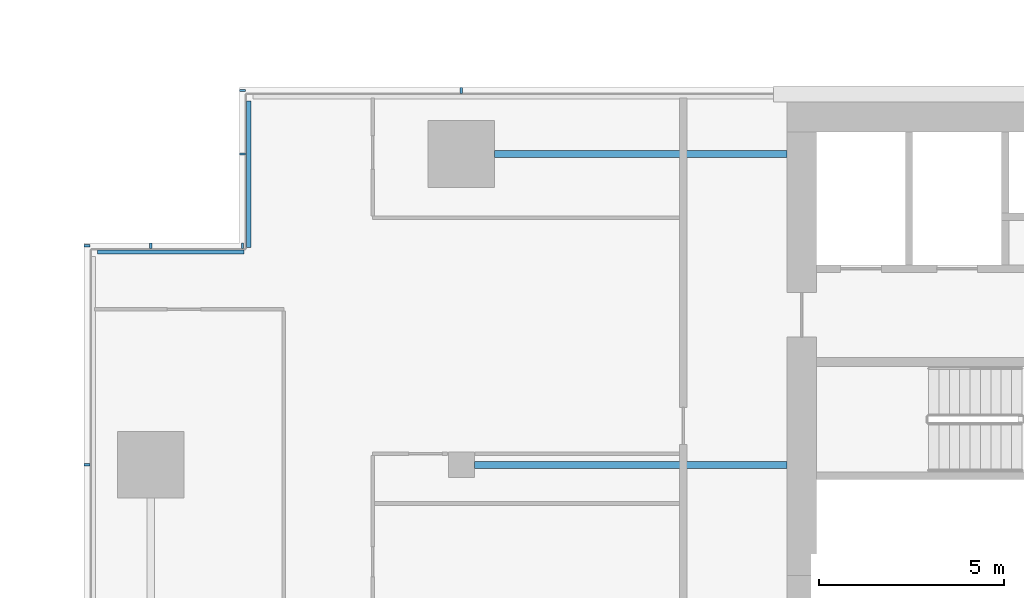
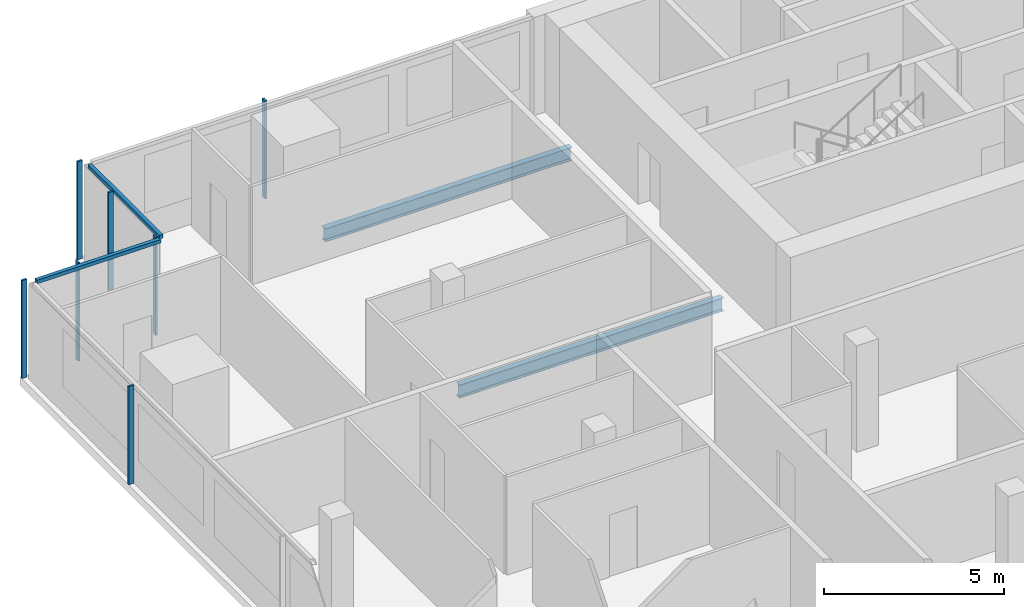
# One storey, part 8 of 30: 9 members, 2 beams, 4 elements without a shape of their own.
"""IFC4 building model written with IfcOpenShell, lengths in metres."""

from ifc_helpers import new_model, si_unit, direction, frame, origin, origin_2d, place, context, subcontext, project, spatial, rectangle, i_section, extrude, material, material_profile, profile_set, type_object, element, aggregate, save


model = new_model("IFC4")

# Units and contexts
model_context = context("Model", 3, precision=1e-05, world=origin(), true_north=direction((0.0, 1.0)))
body_context = subcontext(model_context, "Body", "Model", "MODEL_VIEW")
ifc_project = project(units=[si_unit("LENGTHUNIT", "METRE"), si_unit("AREAUNIT", "SQUARE_METRE"), si_unit("VOLUMEUNIT", "CUBIC_METRE"), si_unit("PLANEANGLEUNIT", "RADIAN"), si_unit("MASSUNIT", "GRAM", prefix="KILO")], contexts=[model_context])

# Site, building, storey
site_placement = place(None, origin())
site = spatial("IfcSite", under=ifc_project, at=site_placement, CompositionType="ELEMENT")
building_placement = place(site_placement, origin())
building = spatial("IfcBuilding", under=site, at=building_placement, Name="Saffron Gate Tower", CompositionType="ELEMENT")
storey_placement = place(building_placement, frame((0.0, 0.0, 169.050048828125)))
storey = spatial("IfcBuildingStorey", under=building, at=storey_placement, Name="L41", CompositionType="ELEMENT", Elevation=169.050048828125)

# Beams
ifc_material_1 = material(Name="Structural steel S355", Category="steel")
ifc_material_profile_1 = material_profile(ifc_material_1, i_section(OverallWidth=0.18994140625, OverallDepth=0.449951171875, WebThickness=0.009521484375, FlangeThickness=0.0146484375, FilletRadius=0.02099609375, at=origin_2d()))
ifc_profile_set_1 = profile_set([ifc_material_profile_1], Name="Structural steel S355")
beam_type = type_object("IfcBeamType", Name="B6 IPE 450", PredefinedType="BEAM", material=ifc_profile_set_1)
beam_1_placement = place(storey_placement, frame((58.550048828125, 65.39990234375, -0.505126953125), z_axis=(1.0, 0.0, 0.0), x_axis=(0.0, 1.0, 0.0)))
element("IfcBeam", 1, at=beam_1_placement, inside=storey, type_object=beam_type, Name="B6 CORE TIE BEAM", PredefinedType="BEAM", context=body_context, shape_type="SweptSolid", body=[
    extrude(i_section(OverallWidth=0.18994140625, OverallDepth=0.449951171875, WebThickness=0.009521484375, FlangeThickness=0.0146484375, FilletRadius=0.02099609375, at=origin_2d()), origin(), (0.0, 0.0, 1.0), 8.449951171875),
])
beam_2_placement = place(storey_placement, frame((59.10009765625, 73.800048828125, -0.505126953125), z_axis=(1.0, 0.0, 0.0), x_axis=(0.0, 1.0, 0.0)))
element("IfcBeam", 2, at=beam_2_placement, inside=storey, type_object=beam_type, Name="B6 CORE TIE BEAM", PredefinedType="BEAM", context=body_context, shape_type="SweptSolid", body=[
    extrude(i_section(OverallWidth=0.18994140625, OverallDepth=0.449951171875, WebThickness=0.009521484375, FlangeThickness=0.0146484375, FilletRadius=0.02099609375, at=origin_2d()), origin(), (0.0, 0.0, 1.0), 7.89990234375),
])

# Curtain wall, members
ifc_material_2 = material(Name="Aluminium, bronze anodised", Category="aluminium")
curtain_wall_type_1 = type_object("IfcCurtainWallType", Name="CWS2 curtain wall side facades", PredefinedType="NOTDEFINED", material=ifc_material_2)
curtain_wall_1_placement = place(storey_placement, origin())
curtain_wall_1 = element("IfcCurtainWall", 3, at=curtain_wall_1_placement, inside=storey, type_object=curtain_wall_type_1, Name="CWS2 run 10", PredefinedType="NOTDEFINED")
ifc_material_profile_2 = material_profile(ifc_material_2, rectangle(XDim=0.159912109375, YDim=0.06005859375, at=origin_2d()))
ifc_profile_set_2 = profile_set([ifc_material_profile_2], Name="Aluminium, bronze anodised")
member_type_1 = type_object("IfcMemberType", Name="CWS2 mullion 60x160", PredefinedType="MULLION", material=ifc_profile_set_2)
member_1_placement = place(storey_placement, frame((48.080078125, 71.320068359375, 0.0), z_axis=(0.0, 0.0, 1.0), x_axis=(1.0, 0.0, 0.0)))
member_1 = element("IfcMember", 4, at=member_1_placement, type_object=member_type_1, Name="CWS2 mullion 1", PredefinedType="MULLION", context=body_context, shape_type="SweptSolid", body=[
    extrude(rectangle(XDim=0.159912109375, YDim=0.06005859375, at=origin_2d()), origin(), (0.0, 0.0, 1.0), 3.320068359375),
])
member_2_placement = place(storey_placement, frame((48.080078125, 65.39990234375, 0.0), z_axis=(0.0, 0.0, 1.0), x_axis=(1.0, 0.0, 0.0)))
member_2 = element("IfcMember", 5, at=member_2_placement, type_object=member_type_1, Name="CWS2 mullion 2", PredefinedType="MULLION", context=body_context, shape_type="SweptSolid", body=[
    extrude(rectangle(XDim=0.159912109375, YDim=0.06005859375, at=origin_2d()), origin(), (0.0, 0.0, 1.0), 3.320068359375),
])
aggregate(curtain_wall_1, [member_1, member_2])

# Curtain wall, member
curtain_wall_type_2 = type_object("IfcCurtainWallType", Name="CWS3 curtain wall rear facade", PredefinedType="NOTDEFINED", material=ifc_material_2)
curtain_wall_2_placement = place(storey_placement, origin())
curtain_wall_2 = element("IfcCurtainWall", 6, at=curtain_wall_2_placement, inside=storey, type_object=curtain_wall_type_2, Name="CWS3 run 7", PredefinedType="NOTDEFINED")
ifc_material_profile_3 = material_profile(ifc_material_2, rectangle(XDim=0.159912109375, YDim=0.070068359375, at=origin_2d()))
ifc_profile_set_3 = profile_set([ifc_material_profile_3], Name="Aluminium, bronze anodised")
member_type_2 = type_object("IfcMemberType", Name="CWS3 mullion 70x160", PredefinedType="MULLION", material=ifc_profile_set_3)
member_3_placement = place(storey_placement, frame((58.199951171875, 75.52001953125, 0.0), z_axis=(0.0, 0.0, 1.0), x_axis=(0.0, -1.0, 0.0)))
member_3 = element("IfcMember", 7, at=member_3_placement, type_object=member_type_2, Name="CWS3 mullion 9", PredefinedType="MULLION", context=body_context, shape_type="SweptSolid", body=[
    extrude(rectangle(XDim=0.159912109375, YDim=0.070068359375, at=origin_2d()), origin(), (0.0, 0.0, 1.0), 3.320068359375),
])
aggregate(curtain_wall_2, [member_3])

curtain_wall_type_3 = type_object("IfcCurtainWallType", Name="CWS4 curtain wall corner returns", PredefinedType="NOTDEFINED", material=ifc_material_2)
curtain_wall_3_placement = place(storey_placement, origin())
curtain_wall_3 = element("IfcCurtainWall", 8, at=curtain_wall_3_placement, inside=storey, type_object=curtain_wall_type_3, Name="CWS4 run 8", PredefinedType="NOTDEFINED")
ifc_material_profile_4 = material_profile(ifc_material_2, rectangle(XDim=0.1201171875, YDim=0.1201171875, at=origin_2d()))
ifc_profile_set_4 = profile_set([ifc_material_profile_4], Name="Aluminium, bronze anodised")
member_type_3 = type_object("IfcMemberType", Name="CWS4 head transom", PredefinedType="USERDEFINED", material=ifc_profile_set_4)
member_4_placement = place(storey_placement, frame((52.447998046875, 75.23193359375, 3.260009765625), z_axis=(0.0, -1.0, 0.0), x_axis=(1.0, 0.0, 0.0)))
member_4 = element("IfcMember", 9, at=member_4_placement, type_object=member_type_3, Name="CWS4 head transom", ObjectType="TRANSOM", PredefinedType="USERDEFINED", context=body_context, shape_type="SweptSolid", body=[
    extrude(rectangle(XDim=0.1201171875, YDim=0.1201171875, at=origin_2d()), origin(), (0.0, 0.0, 1.0), 3.9599609375),
])

curtain_wall_4_placement = place(storey_placement, origin())
curtain_wall_4 = element("IfcCurtainWall", 10, at=curtain_wall_4_placement, inside=storey, type_object=curtain_wall_type_3, Name="CWS4 run 9", PredefinedType="NOTDEFINED")
member_5_placement = place(storey_placement, frame((52.327880859375, 71.152099609375, 3.260009765625), z_axis=(-1.0, 0.0, 0.0), x_axis=(0.0, -1.0, 0.0)))
member_5 = element("IfcMember", 11, at=member_5_placement, type_object=member_type_3, Name="CWS4 head transom", ObjectType="TRANSOM", PredefinedType="USERDEFINED", context=body_context, shape_type="SweptSolid", body=[
    extrude(rectangle(XDim=0.1201171875, YDim=0.1201171875, at=origin_2d()), origin(), (0.0, 0.0, 1.0), 3.9599609375),
])

# Member
ifc_material_profile_5 = material_profile(ifc_material_2, rectangle(XDim=0.159912109375, YDim=0.06005859375, at=origin_2d()))
ifc_profile_set_5 = profile_set([ifc_material_profile_5], Name="Aluminium, bronze anodised")
member_type_4 = type_object("IfcMemberType", Name="CWS4 mullion 60x160", PredefinedType="MULLION", material=ifc_profile_set_5)
member_6_placement = place(storey_placement, frame((52.280029296875, 75.52001953125, 0.0), z_axis=(0.0, 0.0, 1.0), x_axis=(1.0, 0.0, 0.0)))
member_6 = element("IfcMember", 12, at=member_6_placement, type_object=member_type_4, Name="CWS4 mullion 1", PredefinedType="MULLION", context=body_context, shape_type="SweptSolid", body=[
    extrude(rectangle(XDim=0.159912109375, YDim=0.06005859375, at=origin_2d()), origin(), (0.0, 0.0, 1.0), 3.320068359375),
])

member_7_placement = place(storey_placement, frame((52.280029296875, 73.800048828125, 0.0), z_axis=(0.0, 0.0, 1.0), x_axis=(1.0, 0.0, 0.0)))
member_7 = element("IfcMember", 13, at=member_7_placement, type_object=member_type_4, Name="CWS4 mullion 2", PredefinedType="MULLION", context=body_context, shape_type="SweptSolid", body=[
    extrude(rectangle(XDim=0.159912109375, YDim=0.06005859375, at=origin_2d()), origin(), (0.0, 0.0, 1.0), 3.320068359375),
])

aggregate(curtain_wall_3, [member_6, member_7, member_4])

member_8_placement = place(storey_placement, frame((52.280029296875, 71.320068359375, 0.0), z_axis=(0.0, 0.0, 1.0), x_axis=(0.0, -1.0, 0.0)))
member_8 = element("IfcMember", 14, at=member_8_placement, type_object=member_type_4, Name="CWS4 mullion 1", PredefinedType="MULLION", context=body_context, shape_type="SweptSolid", body=[
    extrude(rectangle(XDim=0.159912109375, YDim=0.06005859375, at=origin_2d()), origin(), (0.0, 0.0, 1.0), 3.320068359375),
])

member_9_placement = place(storey_placement, frame((49.800048828125, 71.320068359375, 0.0), z_axis=(0.0, 0.0, 1.0), x_axis=(0.0, -1.0, 0.0)))
member_9 = element("IfcMember", 15, at=member_9_placement, type_object=member_type_4, Name="CWS4 mullion 2", PredefinedType="MULLION", context=body_context, shape_type="SweptSolid", body=[
    extrude(rectangle(XDim=0.159912109375, YDim=0.06005859375, at=origin_2d()), origin(), (0.0, 0.0, 1.0), 3.320068359375),
])

aggregate(curtain_wall_4, [member_8, member_9, member_5])

save(model, "model.ifc")
